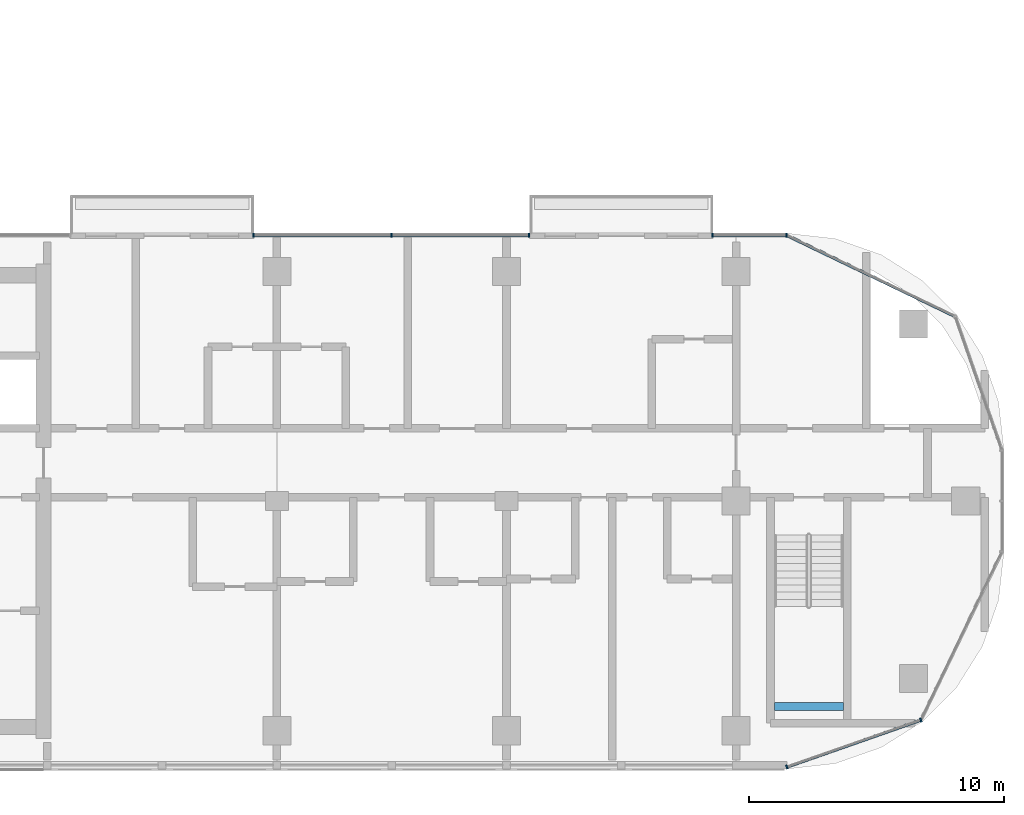
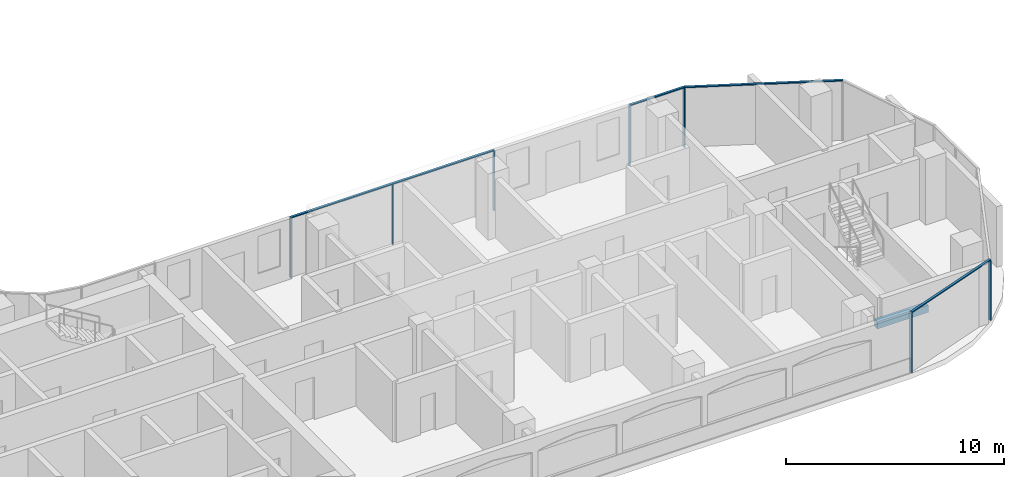
# One storey, part 3 of 22: 11 members, 1 beam, 4 elements without a shape of their own.
"""IFC4 building model written with IfcOpenShell, lengths in metres."""

from ifc_helpers import new_model, si_unit, direction, frame, origin, origin_2d, place, context, subcontext, project, spatial, rectangle, extrude, material, material_profile, profile_set, type_object, element, aggregate, save


model = new_model("IFC4")

# Units and contexts
model_context = context("Model", 3, precision=1e-05, world=origin(), true_north=direction((0.0, 1.0)))
body_context = subcontext(model_context, "Body", "Model", "MODEL_VIEW")
ifc_project = project(units=[si_unit("LENGTHUNIT", "METRE"), si_unit("AREAUNIT", "SQUARE_METRE"), si_unit("VOLUMEUNIT", "CUBIC_METRE"), si_unit("PLANEANGLEUNIT", "RADIAN"), si_unit("MASSUNIT", "GRAM", prefix="KILO")], contexts=[model_context])

# Site, building, storey
site_placement = place(None, origin())
site = spatial("IfcSite", under=ifc_project, at=site_placement, CompositionType="ELEMENT")
building_placement = place(site_placement, origin())
building = spatial("IfcBuilding", under=site, at=building_placement, Name="Ogive Portal Towers", CompositionType="ELEMENT")
storey_placement = place(building_placement, frame((0.0, 0.0, 145.89990234375)))
storey = spatial("IfcBuildingStorey", under=building, at=storey_placement, Name="L35", CompositionType="ELEMENT", Elevation=145.89990234375)

# Beam
ifc_material_1 = material(Name="Concrete C40/50", Category="concrete")
ifc_material_profile_1 = material_profile(ifc_material_1, rectangle(XDim=0.300048828125, YDim=0.39990234375, at=origin_2d()), Name="RC 300x400")
ifc_profile_set_1 = profile_set([ifc_material_profile_1], Name="Concrete C40/50")
beam_type = type_object("IfcBeamType", Name="BEAM RC 300x400", PredefinedType="BEAM", material=ifc_profile_set_1)
beam_placement = place(storey_placement, frame((87.0, 22.449951171875, 1.4501953125), z_axis=(1.0, 0.0, 0.0), x_axis=(0.0, 1.0, 0.0)))
element("IfcBeam", 1, at=beam_placement, inside=storey, type_object=beam_type, Name="Landing beam L35", PredefinedType="BEAM", context=body_context, shape_type="SweptSolid", body=[
    extrude(rectangle(XDim=0.300048828125, YDim=0.39990234375, at=origin_2d()), origin(), (0.0, 0.0, 1.0), 2.699951171875),
])

# Curtain wall, members
ifc_material_2 = material(Name="Glass, clear low-iron insulated glazing", Category="glass")
curtain_wall_type = type_object("IfcCurtainWallType", Name="CW FRONT RIBBON 4500", PredefinedType="NOTDEFINED", material=ifc_material_2)
curtain_wall_1_placement = place(storey_placement, origin())
curtain_wall_1 = element("IfcCurtainWall", 2, at=curtain_wall_1_placement, inside=storey, type_object=curtain_wall_type, Name="A:L35:f12:cw0", PredefinedType="NOTDEFINED")
ifc_material_3 = material(Name="Aluminium 6063 anodised", Category="aluminium")
ifc_material_profile_2 = material_profile(ifc_material_3, rectangle(XDim=0.159912109375, YDim=0.06005859375, at=origin_2d()), Name="AL 60x160")
ifc_profile_set_2 = profile_set([ifc_material_profile_2], Name="Aluminium 6063 anodised")
member_type_1 = type_object("IfcMemberType", Name="CW MULLION 60x160", PredefinedType="MULLION", material=ifc_profile_set_2)
member_1_placement = place(storey_placement, frame((87.481689453125, 40.919921875, 0.0), z_axis=(0.0, 0.0, 1.0), x_axis=(0.0, -1.0, 0.0)))
member_1 = element("IfcMember", 3, at=member_1_placement, type_object=member_type_1, Name="mullion", PredefinedType="MULLION", context=body_context, shape_type="SweptSolid", body=[
    extrude(rectangle(XDim=0.159912109375, YDim=0.06005859375, at=origin_2d()), origin(), (0.0, 0.0, 1.0), 3.340087890625),
])
member_2_placement = place(storey_placement, frame((84.582763671875, 40.919921875, 0.0), z_axis=(0.0, 0.0, 1.0), x_axis=(0.0, -1.0, 0.0)))
member_2 = element("IfcMember", 4, at=member_2_placement, type_object=member_type_1, Name="mullion", PredefinedType="MULLION", context=body_context, shape_type="SweptSolid", body=[
    extrude(rectangle(XDim=0.159912109375, YDim=0.06005859375, at=origin_2d()), origin(), (0.0, 0.0, 1.0), 3.340087890625),
])

curtain_wall_2_placement = place(storey_placement, origin())
curtain_wall_2 = element("IfcCurtainWall", 5, at=curtain_wall_2_placement, inside=storey, type_object=curtain_wall_type, Name="A:L35:f12:cw1", PredefinedType="NOTDEFINED")
member_3_placement = place(storey_placement, frame((77.385009765625, 40.919921875, 0.0), z_axis=(0.0, 0.0, 1.0), x_axis=(0.0, -1.0, 0.0)))
member_3 = element("IfcMember", 6, at=member_3_placement, type_object=member_type_1, Name="mullion", PredefinedType="MULLION", context=body_context, shape_type="SweptSolid", body=[
    extrude(rectangle(XDim=0.159912109375, YDim=0.06005859375, at=origin_2d()), origin(), (0.0, 0.0, 1.0), 3.340087890625),
])
member_4_placement = place(storey_placement, frame((72.0, 40.919921875, 0.0), z_axis=(0.0, 0.0, 1.0), x_axis=(0.0, -1.0, 0.0)))
member_4 = element("IfcMember", 7, at=member_4_placement, type_object=member_type_1, Name="mullion", PredefinedType="MULLION", context=body_context, shape_type="SweptSolid", body=[
    extrude(rectangle(XDim=0.159912109375, YDim=0.06005859375, at=origin_2d()), origin(), (0.0, 0.0, 1.0), 3.340087890625),
])
member_5_placement = place(storey_placement, frame((66.588623046875, 40.919921875, 0.0), z_axis=(0.0, 0.0, 1.0), x_axis=(0.0, -1.0, 0.0)))
member_5 = element("IfcMember", 8, at=member_5_placement, type_object=member_type_1, Name="mullion", PredefinedType="MULLION", context=body_context, shape_type="SweptSolid", body=[
    extrude(rectangle(XDim=0.159912109375, YDim=0.06005859375, at=origin_2d()), origin(), (0.0, 0.0, 1.0), 3.340087890625),
])

curtain_wall_3_placement = place(storey_placement, origin())
curtain_wall_3 = element("IfcCurtainWall", 9, at=curtain_wall_3_placement, inside=storey, type_object=curtain_wall_type, Name="A:L35:f07:cwa", PredefinedType="NOTDEFINED")
member_6_placement = place(storey_placement, frame((87.486328125, 20.080078125, 0.0), z_axis=(0.0, 0.0, 1.0), x_axis=(-0.33027906196, 0.943883330307, 0.0)))
member_6 = element("IfcMember", 10, at=member_6_placement, type_object=member_type_1, Name="mullion", PredefinedType="MULLION", context=body_context, shape_type="SweptSolid", body=[
    extrude(rectangle(XDim=0.159912109375, YDim=0.06005859375, at=origin_2d()), origin(), (0.0, 0.0, 1.0), 3.340087890625),
])
member_7_placement = place(storey_placement, frame((92.741943359375, 21.9189453125, 0.0), z_axis=(0.0, 0.0, 1.0), x_axis=(-0.33027906196, 0.943883330307, 0.0)))
member_7 = element("IfcMember", 11, at=member_7_placement, type_object=member_type_1, Name="mullion", PredefinedType="MULLION", context=body_context, shape_type="SweptSolid", body=[
    extrude(rectangle(XDim=0.159912109375, YDim=0.06005859375, at=origin_2d()), origin(), (0.0, 0.0, 1.0), 3.340087890625),
])

# Member
ifc_material_profile_3 = material_profile(ifc_material_3, rectangle(XDim=0.1201171875, YDim=0.06005859375, at=origin_2d()), Name="AL 120x60")
ifc_profile_set_3 = profile_set([ifc_material_profile_3], Name="Aluminium 6063 anodised")
member_type_2 = type_object("IfcMemberType", Name="CW TRANSOM 60x120", PredefinedType="USERDEFINED", material=ifc_profile_set_3)
member_8_placement = place(storey_placement, frame((87.481689453125, 40.919921875, 3.3701171875), z_axis=(-1.0, 0.0, 0.0), x_axis=(0.0, -1.0, 0.0)))
member_8 = element("IfcMember", 12, at=member_8_placement, type_object=member_type_2, Name="transom", ObjectType="TRANSOM", PredefinedType="USERDEFINED", context=body_context, shape_type="SweptSolid", body=[
    extrude(rectangle(XDim=0.1201171875, YDim=0.06005859375, at=origin_2d()), origin(), (0.0, 0.0, 1.0), 2.89892578125),
])

aggregate(curtain_wall_1, [member_8, member_1, member_2])

member_9_placement = place(storey_placement, frame((77.385009765625, 40.919921875, 3.3701171875), z_axis=(-1.0, 0.0, 0.0), x_axis=(0.0, -1.0, 0.0)))
member_9 = element("IfcMember", 13, at=member_9_placement, type_object=member_type_2, Name="transom", ObjectType="TRANSOM", PredefinedType="USERDEFINED", context=body_context, shape_type="SweptSolid", body=[
    extrude(rectangle(XDim=0.1201171875, YDim=0.06005859375, at=origin_2d()), origin(), (0.0, 0.0, 1.0), 10.79638671875),
])

aggregate(curtain_wall_2, [member_9, member_3, member_4, member_5])

member_10_placement = place(storey_placement, frame((87.486328125, 20.080078125, 3.3701171875), z_axis=(0.943891847017, 0.330254721593, 0.0), x_axis=(-0.330254721593, 0.943891847017, 0.0)))
member_10 = element("IfcMember", 14, at=member_10_placement, type_object=member_type_2, Name="transom", ObjectType="TRANSOM", PredefinedType="USERDEFINED", context=body_context, shape_type="SweptSolid", body=[
    extrude(rectangle(XDim=0.1201171875, YDim=0.06005859375, at=origin_2d()), origin(), (0.0, 0.0, 1.0), 5.568115234375),
])

aggregate(curtain_wall_3, [member_10, member_6, member_7])

# Curtain wall, member
curtain_wall_4_placement = place(storey_placement, origin())
curtain_wall_4 = element("IfcCurtainWall", 15, at=curtain_wall_4_placement, inside=storey, type_object=curtain_wall_type, Name="A:L35:f10:cwa", PredefinedType="NOTDEFINED")
member_11_placement = place(storey_placement, frame((94.0810546875, 37.741943359375, 3.3701171875), z_axis=(-0.900974646757, 0.433871738997, 0.0), x_axis=(-0.433871738997, -0.900974646757, 0.0)))
member_11 = element("IfcMember", 16, at=member_11_placement, type_object=member_type_2, Name="transom", ObjectType="TRANSOM", PredefinedType="USERDEFINED", context=body_context, shape_type="SweptSolid", body=[
    extrude(rectangle(XDim=0.1201171875, YDim=0.06005859375, at=origin_2d()), origin(), (0.0, 0.0, 1.0), 7.32470703125),
])
aggregate(curtain_wall_4, [member_11])

save(model, "model.ifc")
